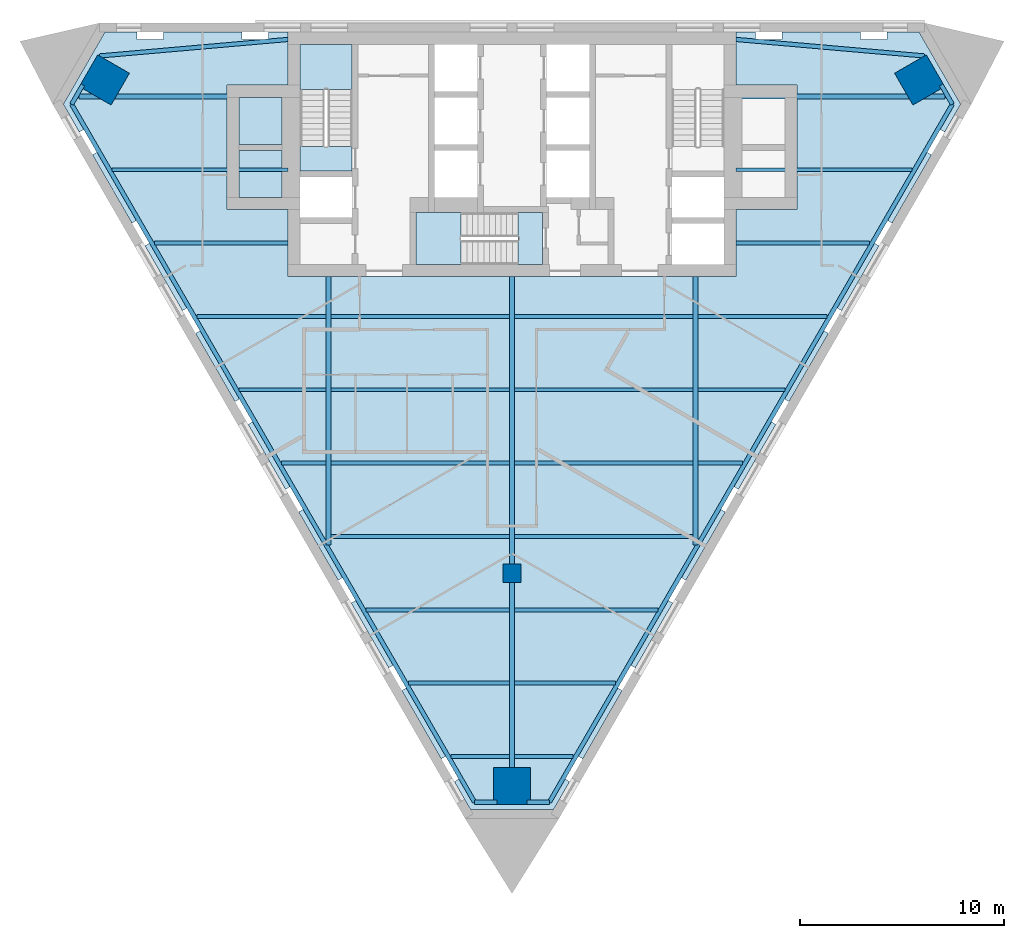
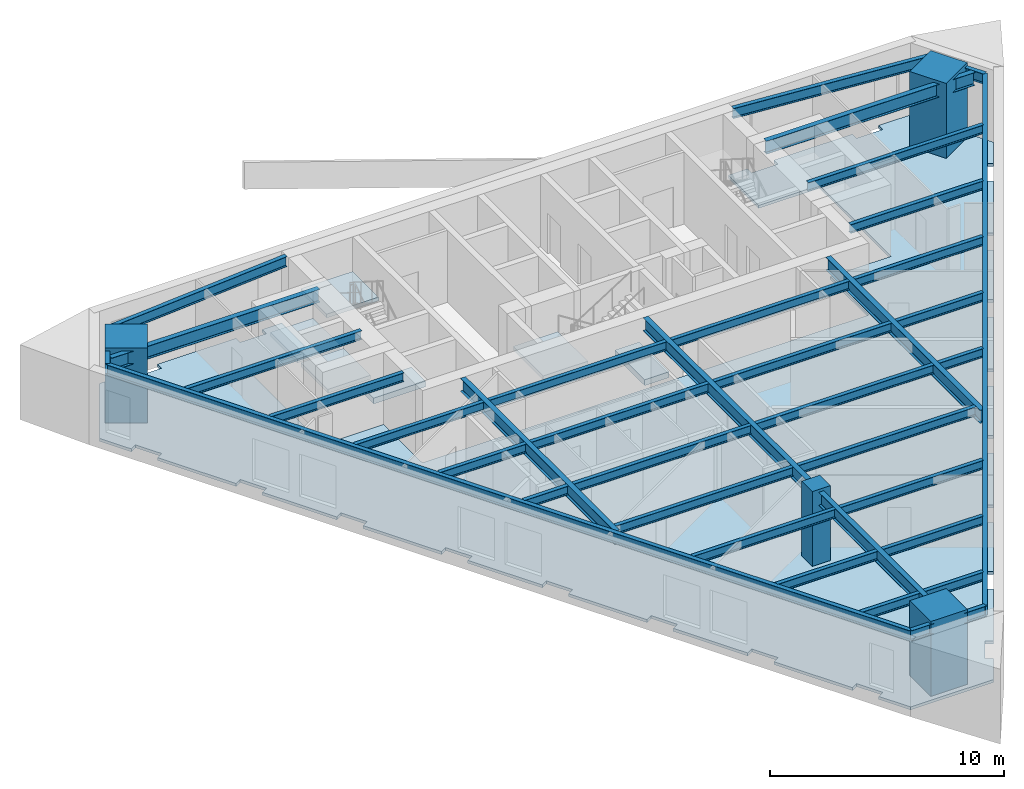
# One storey, part 1 of 7: 38 beams, 7 slabs, 4 columns, 2 elements without a shape of their own.
"""IFC4 building model written with IfcOpenShell, lengths in metres."""

from ifc_helpers import new_model, si_unit, direction, frame, origin, origin_2d, place, context, subcontext, project, spatial, polyline, rectangle, i_section, outline, extrude, material, layer, layer_set, material_profile, profile_set, type_object, element, aggregate, save


model = new_model("IFC4")

# Units and contexts
model_context = context("Model", 3, precision=1e-05, world=origin(), true_north=direction((0.0, 1.0)))
body_context = subcontext(model_context, "Body", "Model", "MODEL_VIEW")
ifc_project = project(units=[si_unit("LENGTHUNIT", "METRE"), si_unit("AREAUNIT", "SQUARE_METRE"), si_unit("VOLUMEUNIT", "CUBIC_METRE"), si_unit("PLANEANGLEUNIT", "RADIAN"), si_unit("MASSUNIT", "GRAM", prefix="KILO")], contexts=[model_context])

# Site, building, storey
site_placement = place(None, origin())
site = spatial("IfcSite", under=ifc_project, at=site_placement, CompositionType="ELEMENT")
building_placement = place(site_placement, origin())
building = spatial("IfcBuilding", under=site, at=building_placement, Name="Aloe Facet Convention Tower", CompositionType="ELEMENT")
storey_placement = place(building_placement, frame((0.0, 0.0, 132.5)))
storey = spatial("IfcBuildingStorey", under=building, at=storey_placement, Name="L33", CompositionType="ELEMENT", Elevation=132.5)

# Columns
ifc_material_1 = material(Name="Concrete C70/85", Category="concrete")
ifc_material_profile_1 = material_profile(ifc_material_1, rectangle(XDim=0.89990234375, YDim=0.89990234375, at=origin_2d()), Name="SF-GC-Z3")
ifc_profile_set_1 = profile_set([ifc_material_profile_1], Name="Concrete C70/85")
column_type_1 = type_object("IfcColumnType", Name="SF-GC-Z3", PredefinedType="COLUMN", material=ifc_profile_set_1)
column_placement = place(storey_placement, frame((80.0, 108.0, 0.0), z_axis=(0.0, 0.0, 1.0), x_axis=(1.0, 0.0, 0.0)))
element("IfcColumn", 1, at=column_placement, inside=storey, type_object=column_type_1, Name="Gravity column GC-Z3-9D", PredefinedType="COLUMN", context=body_context, shape_type="SweptSolid", body=[
    extrude(rectangle(XDim=0.89990234375, YDim=0.89990234375, at=origin_2d()), origin(), (0.0, 0.0, 1.0), 3.89990234375),
])
ifc_material_2 = material(Name="Concrete C80/95", Category="concrete")
ifc_material_profile_2 = material_profile(ifc_material_2, rectangle(XDim=1.800048828125, YDim=1.800048828125, at=origin_2d()), Name="STW-MC-Z3")
ifc_profile_set_2 = profile_set([ifc_material_profile_2], Name="Concrete C80/95")
column_type_2 = type_object("IfcColumnType", Name="STW-MC-Z3", PredefinedType="COLUMN", material=ifc_profile_set_2)
for number, where, z_axis, x_axis, name in (
    (2, (100.00732421875, 132.208251953125, 0.0), (0.0, 0.0, 1.0), (-0.5, 0.866025403784, 0.0), "Mega-column MC-NE-L33"),
    (3, (59.99267578125, 132.208251953125, 0.0), (0.0, 0.0, 1.0), (-0.5, -0.866025403784, 0.0), "Mega-column MC-NW-L33"),
    (4, (80.0, 97.55419921875, 0.0), (0.0, 0.0, 1.0), (1.0, 0.0, 0.0), "Mega-column MC-S-L33"),
):
    element("IfcColumn", number, at=place(storey_placement, frame(where, z_axis=z_axis, x_axis=x_axis)), inside=storey, type_object=column_type_2, Name=name, PredefinedType="COLUMN", context=body_context, shape_type="SweptSolid", body=[
        extrude(rectangle(XDim=1.800048828125, YDim=1.800048828125, at=origin_2d()), origin(), (0.0, 0.0, 1.0), 3.89990234375),
    ])

# Beams
ifc_material_3 = material(Name="Steel S355", Category="steel")
ifc_material_profile_3 = material_profile(ifc_material_3, i_section(OverallWidth=0.19140625, OverallDepth=0.4599609375, WebThickness=0.010009765625, FlangeThickness=0.01611328125, FilletRadius=0.01025390625, at=origin_2d()), Name="UB 457x191x82")
ifc_profile_set_3 = profile_set([ifc_material_profile_3], Name="Steel S355")
beam_type_1 = type_object("IfcBeamType", Name="SF-B-UB457x191x82", PredefinedType="BEAM", material=ifc_profile_set_3)
beam_1_placement = place(storey_placement, frame((60.373779296875, 127.800048828125, 3.52001953125), z_axis=(1.0, 0.0, 0.0), x_axis=(0.0, 1.0, 0.0)))
element("IfcBeam", 5, at=beam_1_placement, inside=storey, type_object=beam_type_1, Name="Floor beam FB-Z3C-015", PredefinedType="BEAM", context=body_context, shape_type="SweptSolid", body=[
    extrude(i_section(OverallWidth=0.19140625, OverallDepth=0.4599609375, WebThickness=0.010009765625, FlangeThickness=0.01611328125, FilletRadius=0.01025390625, at=origin_2d()), origin(), (0.0, 0.0, 1.0), 8.626220703125),
])
beam_2_placement = place(storey_placement, frame((62.452392578125, 124.199951171875, 3.52001953125), z_axis=(1.0, 0.0, 0.0), x_axis=(0.0, 1.0, 0.0)))
element("IfcBeam", 6, at=beam_2_placement, inside=storey, type_object=beam_type_1, Name="Floor beam FB-Z3C-016", PredefinedType="BEAM", context=body_context, shape_type="SweptSolid", body=[
    extrude(i_section(OverallWidth=0.19140625, OverallDepth=0.4599609375, WebThickness=0.010009765625, FlangeThickness=0.01611328125, FilletRadius=0.01025390625, at=origin_2d()), origin(), (0.0, 0.0, 1.0), 6.547607421875),
])
beam_3_placement = place(storey_placement, frame((64.53076171875, 120.60009765625, 3.52001953125), z_axis=(1.0, 0.0, 0.0), x_axis=(0.0, 1.0, 0.0)))
element("IfcBeam", 7, at=beam_3_placement, inside=storey, type_object=beam_type_1, Name="Floor beam FB-Z3C-017", PredefinedType="BEAM", context=body_context, shape_type="SweptSolid", body=[
    extrude(i_section(OverallWidth=0.19140625, OverallDepth=0.4599609375, WebThickness=0.010009765625, FlangeThickness=0.01611328125, FilletRadius=0.01025390625, at=origin_2d()), origin(), (0.0, 0.0, 1.0), 6.3427734375),
])
beam_4_placement = place(storey_placement, frame((66.609130859375, 117.0, 3.52001953125), z_axis=(1.0, 0.0, 0.0), x_axis=(0.0, 1.0, 0.0)))
element("IfcBeam", 8, at=beam_4_placement, inside=storey, type_object=beam_type_1, Name="Floor beam FB-Z3C-018", PredefinedType="BEAM", context=body_context, shape_type="SweptSolid", body=[
    extrude(i_section(OverallWidth=0.19140625, OverallDepth=0.4599609375, WebThickness=0.010009765625, FlangeThickness=0.01611328125, FilletRadius=0.01025390625, at=origin_2d()), origin(), (0.0, 0.0, 1.0), 4.264404296875),
])
beam_5_placement = place(storey_placement, frame((68.687744140625, 113.39990234375, 3.52001953125), z_axis=(1.0, 0.0, 0.0), x_axis=(0.0, 1.0, 0.0)))
element("IfcBeam", 9, at=beam_5_placement, inside=storey, type_object=beam_type_1, Name="Floor beam FB-Z3C-019", PredefinedType="BEAM", context=body_context, shape_type="SweptSolid", body=[
    extrude(i_section(OverallWidth=0.19140625, OverallDepth=0.4599609375, WebThickness=0.010009765625, FlangeThickness=0.01611328125, FilletRadius=0.01025390625, at=origin_2d()), origin(), (0.0, 0.0, 1.0), 2.185791015625),
])
for number, where, z_axis, x_axis, name in (
    (10, (71.12646484375, 109.800048828125, 3.52001953125), (1.0, 0.0, 0.0), (0.0, 1.0, 0.0), "Floor beam FB-Z3C-020"),
    (11, (71.12646484375, 113.39990234375, 3.52001953125), (1.0, 0.0, 0.0), (0.0, 1.0, 0.0), "Floor beam FB-Z3C-021"),
    (12, (71.12646484375, 117.0, 3.52001953125), (1.0, 0.0, 0.0), (0.0, 1.0, 0.0), "Floor beam FB-Z3C-022"),
    (13, (71.12646484375, 120.60009765625, 3.52001953125), (1.0, 0.0, 0.0), (0.0, 1.0, 0.0), "Floor beam FB-Z3C-023"),
):
    element("IfcBeam", number, at=place(storey_placement, frame(where, z_axis=z_axis, x_axis=x_axis)), inside=storey, type_object=beam_type_1, Name=name, PredefinedType="BEAM", context=body_context, shape_type="SweptSolid", body=[
        extrude(i_section(OverallWidth=0.19140625, OverallDepth=0.4599609375, WebThickness=0.010009765625, FlangeThickness=0.01611328125, FilletRadius=0.01025390625, at=origin_2d()), origin(), (0.0, 0.0, 1.0), 8.7470703125),
    ])
beam_6_placement = place(storey_placement, frame((72.844482421875, 106.199951171875, 3.52001953125), z_axis=(1.0, 0.0, 0.0), x_axis=(0.0, 1.0, 0.0)))
element("IfcBeam", 14, at=beam_6_placement, inside=storey, type_object=beam_type_1, Name="Floor beam FB-Z3C-024", PredefinedType="BEAM", context=body_context, shape_type="SweptSolid", body=[
    extrude(i_section(OverallWidth=0.19140625, OverallDepth=0.4599609375, WebThickness=0.010009765625, FlangeThickness=0.01611328125, FilletRadius=0.01025390625, at=origin_2d()), origin(), (0.0, 0.0, 1.0), 7.029052734375),
])
beam_7_placement = place(storey_placement, frame((74.923095703125, 102.60009765625, 3.52001953125), z_axis=(1.0, 0.0, 0.0), x_axis=(0.0, 1.0, 0.0)))
element("IfcBeam", 15, at=beam_7_placement, inside=storey, type_object=beam_type_1, Name="Floor beam FB-Z3C-025", PredefinedType="BEAM", context=body_context, shape_type="SweptSolid", body=[
    extrude(i_section(OverallWidth=0.19140625, OverallDepth=0.4599609375, WebThickness=0.010009765625, FlangeThickness=0.01611328125, FilletRadius=0.01025390625, at=origin_2d()), origin(), (0.0, 0.0, 1.0), 4.950439453125),
])
for number, where, z_axis, x_axis, name in (
    (16, (77.00146484375, 99.0, 3.52001953125), (1.0, 0.0, 0.0), (0.0, 1.0, 0.0), "Floor beam FB-Z3C-026"),
    (17, (80.12646484375, 99.0, 3.52001953125), (1.0, 0.0, 0.0), (0.0, 1.0, 0.0), "Floor beam FB-Z3C-027"),
):
    element("IfcBeam", number, at=place(storey_placement, frame(where, z_axis=z_axis, x_axis=x_axis)), inside=storey, type_object=beam_type_1, Name=name, PredefinedType="BEAM", context=body_context, shape_type="SweptSolid", body=[
        extrude(i_section(OverallWidth=0.19140625, OverallDepth=0.4599609375, WebThickness=0.010009765625, FlangeThickness=0.01611328125, FilletRadius=0.01025390625, at=origin_2d()), origin(), (0.0, 0.0, 1.0), 2.8720703125),
    ])
beam_8_placement = place(storey_placement, frame((80.12646484375, 102.60009765625, 3.52001953125), z_axis=(1.0, 0.0, 0.0), x_axis=(0.0, 1.0, 0.0)))
element("IfcBeam", 18, at=beam_8_placement, inside=storey, type_object=beam_type_1, Name="Floor beam FB-Z3C-028", PredefinedType="BEAM", context=body_context, shape_type="SweptSolid", body=[
    extrude(i_section(OverallWidth=0.19140625, OverallDepth=0.4599609375, WebThickness=0.010009765625, FlangeThickness=0.01611328125, FilletRadius=0.01025390625, at=origin_2d()), origin(), (0.0, 0.0, 1.0), 4.950439453125),
])
beam_9_placement = place(storey_placement, frame((80.12646484375, 106.199951171875, 3.52001953125), z_axis=(1.0, 0.0, 0.0), x_axis=(0.0, 1.0, 0.0)))
element("IfcBeam", 19, at=beam_9_placement, inside=storey, type_object=beam_type_1, Name="Floor beam FB-Z3C-029", PredefinedType="BEAM", context=body_context, shape_type="SweptSolid", body=[
    extrude(i_section(OverallWidth=0.19140625, OverallDepth=0.4599609375, WebThickness=0.010009765625, FlangeThickness=0.01611328125, FilletRadius=0.01025390625, at=origin_2d()), origin(), (0.0, 0.0, 1.0), 7.029052734375),
])
for number, where, z_axis, x_axis, name in (
    (20, (80.12646484375, 109.800048828125, 3.52001953125), (1.0, 0.0, 0.0), (0.0, 1.0, 0.0), "Floor beam FB-Z3C-030"),
    (21, (80.12646484375, 113.39990234375, 3.52001953125), (1.0, 0.0, 0.0), (0.0, 1.0, 0.0), "Floor beam FB-Z3C-031"),
    (22, (80.12646484375, 117.0, 3.52001953125), (1.0, 0.0, 0.0), (0.0, 1.0, 0.0), "Floor beam FB-Z3C-032"),
    (23, (80.12646484375, 120.60009765625, 3.52001953125), (1.0, 0.0, 0.0), (0.0, 1.0, 0.0), "Floor beam FB-Z3C-033"),
):
    element("IfcBeam", number, at=place(storey_placement, frame(where, z_axis=z_axis, x_axis=x_axis)), inside=storey, type_object=beam_type_1, Name=name, PredefinedType="BEAM", context=body_context, shape_type="SweptSolid", body=[
        extrude(i_section(OverallWidth=0.19140625, OverallDepth=0.4599609375, WebThickness=0.010009765625, FlangeThickness=0.01611328125, FilletRadius=0.01025390625, at=origin_2d()), origin(), (0.0, 0.0, 1.0), 8.7470703125),
    ])
beam_10_placement = place(storey_placement, frame((89.12646484375, 113.39990234375, 3.52001953125), z_axis=(1.0, 0.0, 0.0), x_axis=(0.0, 1.0, 0.0)))
element("IfcBeam", 24, at=beam_10_placement, inside=storey, type_object=beam_type_1, Name="Floor beam FB-Z3C-034", PredefinedType="BEAM", context=body_context, shape_type="SweptSolid", body=[
    extrude(i_section(OverallWidth=0.19140625, OverallDepth=0.4599609375, WebThickness=0.010009765625, FlangeThickness=0.01611328125, FilletRadius=0.01025390625, at=origin_2d()), origin(), (0.0, 0.0, 1.0), 2.185791015625),
])
beam_11_placement = place(storey_placement, frame((89.12646484375, 117.0, 3.52001953125), z_axis=(1.0, 0.0, 0.0), x_axis=(0.0, 1.0, 0.0)))
element("IfcBeam", 25, at=beam_11_placement, inside=storey, type_object=beam_type_1, Name="Floor beam FB-Z3C-035", PredefinedType="BEAM", context=body_context, shape_type="SweptSolid", body=[
    extrude(i_section(OverallWidth=0.19140625, OverallDepth=0.4599609375, WebThickness=0.010009765625, FlangeThickness=0.01611328125, FilletRadius=0.01025390625, at=origin_2d()), origin(), (0.0, 0.0, 1.0), 4.264404296875),
])
beam_12_placement = place(storey_placement, frame((89.12646484375, 120.60009765625, 3.52001953125), z_axis=(1.0, 0.0, 0.0), x_axis=(0.0, 1.0, 0.0)))
element("IfcBeam", 26, at=beam_12_placement, inside=storey, type_object=beam_type_1, Name="Floor beam FB-Z3C-036", PredefinedType="BEAM", context=body_context, shape_type="SweptSolid", body=[
    extrude(i_section(OverallWidth=0.19140625, OverallDepth=0.4599609375, WebThickness=0.010009765625, FlangeThickness=0.01611328125, FilletRadius=0.01025390625, at=origin_2d()), origin(), (0.0, 0.0, 1.0), 6.3427734375),
])
beam_13_placement = place(storey_placement, frame((91.0, 124.199951171875, 3.52001953125), z_axis=(1.0, 0.0, 0.0), x_axis=(0.0, 1.0, 0.0)))
element("IfcBeam", 27, at=beam_13_placement, inside=storey, type_object=beam_type_1, Name="Floor beam FB-Z3C-037", PredefinedType="BEAM", context=body_context, shape_type="SweptSolid", body=[
    extrude(i_section(OverallWidth=0.19140625, OverallDepth=0.4599609375, WebThickness=0.010009765625, FlangeThickness=0.01611328125, FilletRadius=0.01025390625, at=origin_2d()), origin(), (0.0, 0.0, 1.0), 6.547607421875),
])
beam_14_placement = place(storey_placement, frame((91.0, 127.800048828125, 3.52001953125), z_axis=(1.0, 0.0, 0.0), x_axis=(0.0, 1.0, 0.0)))
element("IfcBeam", 28, at=beam_14_placement, inside=storey, type_object=beam_type_1, Name="Floor beam FB-Z3C-038", PredefinedType="BEAM", context=body_context, shape_type="SweptSolid", body=[
    extrude(i_section(OverallWidth=0.19140625, OverallDepth=0.4599609375, WebThickness=0.010009765625, FlangeThickness=0.01611328125, FilletRadius=0.01025390625, at=origin_2d()), origin(), (0.0, 0.0, 1.0), 8.626220703125),
])
ifc_material_4 = material(Name="Steel S355", Category="steel")
ifc_material_profile_4 = material_profile(ifc_material_4, i_section(OverallWidth=0.209228515625, OverallDepth=0.533203125, WebThickness=0.010009765625, FlangeThickness=0.015625, FilletRadius=0.0126953125, at=origin_2d()), Name="UB 533x210x92")
ifc_profile_set_4 = profile_set([ifc_material_profile_4], Name="Steel S355")
beam_type_2 = type_object("IfcBeamType", Name="SF-B-UB533x210x92", PredefinedType="BEAM", material=ifc_profile_set_4)
beam_15_placement = place(storey_placement, frame((58.385986328125, 131.016357421875, 3.4833984375), z_axis=(0.50002983664, 0.866008176907, 0.0), x_axis=(-0.866008176907, 0.50002983664, 0.0)))
element("IfcBeam", 29, at=beam_15_placement, inside=storey, type_object=beam_type_2, Name="Floor beam FB-Z3C-001", PredefinedType="BEAM", context=body_context, shape_type="SweptSolid", body=[
    extrude(i_section(OverallWidth=0.209228515625, OverallDepth=0.533203125, WebThickness=0.010009765625, FlangeThickness=0.015625, FilletRadius=0.0126953125, at=origin_2d()), origin(), (0.0, 0.0, 1.0), 1.10009765625),
])
beam_16_placement = place(storey_placement, frame((59.75390625, 133.38525390625, 3.4833984375), z_axis=(0.996184118201, 0.087276587035, 0.0), x_axis=(-0.087276587035, 0.996184118201, 0.0)))
element("IfcBeam", 30, at=beam_16_placement, inside=storey, type_object=beam_type_2, Name="Floor beam FB-Z3C-002", PredefinedType="BEAM", context=body_context, shape_type="SweptSolid", body=[
    extrude(i_section(OverallWidth=0.209228515625, OverallDepth=0.533203125, WebThickness=0.010009765625, FlangeThickness=0.015625, FilletRadius=0.0126953125, at=origin_2d()), origin(), (0.0, 0.0, 1.0), 9.281494140625),
])
beam_17_placement = place(storey_placement, frame((78.16455078125, 96.7587890625, 3.4833984375), z_axis=(-0.499999016722, 0.866025971479, 0.0), x_axis=(-0.866025971479, -0.499999016722, 0.0)))
element("IfcBeam", 31, at=beam_17_placement, inside=storey, type_object=beam_type_2, Name="Floor beam FB-Z3C-003", PredefinedType="BEAM", context=body_context, shape_type="SweptSolid", body=[
    extrude(i_section(OverallWidth=0.209228515625, OverallDepth=0.533203125, WebThickness=0.010009765625, FlangeThickness=0.015625, FilletRadius=0.0126953125, at=origin_2d()), origin(), (0.0, 0.0, 1.0), 39.55712890625),
])
for number, where, z_axis, x_axis, name in (
    (32, (79.2646484375, 96.7587890625, 3.4833984375), (-1.0, 0.0, 0.0), (0.0, -1.0, 0.0), "Floor beam FB-Z3C-004"),
    (33, (81.83544921875, 96.7587890625, 3.4833984375), (-1.0, 0.0, 0.0), (0.0, -1.0, 0.0), "Floor beam FB-Z3C-005"),
):
    element("IfcBeam", number, at=place(storey_placement, frame(where, z_axis=z_axis, x_axis=x_axis)), inside=storey, type_object=beam_type_2, Name=name, PredefinedType="BEAM", context=body_context, shape_type="SweptSolid", body=[
        extrude(i_section(OverallWidth=0.209228515625, OverallDepth=0.533203125, WebThickness=0.010009765625, FlangeThickness=0.015625, FilletRadius=0.0126953125, at=origin_2d()), origin(), (0.0, 0.0, 1.0), 1.10009765625),
    ])
beam_18_placement = place(storey_placement, frame((100.24609375, 133.38525390625, 3.4833984375), z_axis=(-0.996184118201, 0.087276587035, 0.0), x_axis=(-0.087276587035, -0.996184118201, 0.0)))
element("IfcBeam", 34, at=beam_18_placement, inside=storey, type_object=beam_type_2, Name="Floor beam FB-Z3C-006", PredefinedType="BEAM", context=body_context, shape_type="SweptSolid", body=[
    extrude(i_section(OverallWidth=0.209228515625, OverallDepth=0.533203125, WebThickness=0.010009765625, FlangeThickness=0.015625, FilletRadius=0.0126953125, at=origin_2d()), origin(), (0.0, 0.0, 1.0), 9.281494140625),
])
beam_19_placement = place(storey_placement, frame((101.06396484375, 131.968994140625, 3.4833984375), z_axis=(0.50002983664, -0.866008176907, 0.0), x_axis=(0.866008176907, 0.50002983664, 0.0)))
element("IfcBeam", 35, at=beam_19_placement, inside=storey, type_object=beam_type_2, Name="Floor beam FB-Z3C-007", PredefinedType="BEAM", context=body_context, shape_type="SweptSolid", body=[
    extrude(i_section(OverallWidth=0.209228515625, OverallDepth=0.533203125, WebThickness=0.010009765625, FlangeThickness=0.015625, FilletRadius=0.0126953125, at=origin_2d()), origin(), (0.0, 0.0, 1.0), 1.10009765625),
])
beam_20_placement = place(storey_placement, frame((101.614013671875, 131.016357421875, 3.4833984375), z_axis=(-0.499999016722, -0.866025971479, 0.0), x_axis=(0.866025971479, -0.499999016722, 0.0)))
element("IfcBeam", 36, at=beam_20_placement, inside=storey, type_object=beam_type_2, Name="Floor beam FB-Z3C-008", PredefinedType="BEAM", context=body_context, shape_type="SweptSolid", body=[
    extrude(i_section(OverallWidth=0.209228515625, OverallDepth=0.533203125, WebThickness=0.010009765625, FlangeThickness=0.015625, FilletRadius=0.0126953125, at=origin_2d()), origin(), (0.0, 0.0, 1.0), 39.55712890625),
])
ifc_material_5 = material(Name="Steel S355", Category="steel")
ifc_material_profile_5 = material_profile(ifc_material_5, i_section(OverallWidth=0.2529296875, OverallDepth=0.677978515625, WebThickness=0.01171875, FlangeThickness=0.01611328125, FilletRadius=0.01513671875, at=origin_2d()), Name="UB 686x254x125")
ifc_profile_set_5 = profile_set([ifc_material_profile_5], Name="Steel S355")
beam_type_3 = type_object("IfcBeamType", Name="SF-B-UB686x254x125", PredefinedType="BEAM", material=ifc_profile_set_5)
beam_21_placement = place(storey_placement, frame((58.73828125, 131.39990234375, 3.410888671875), z_axis=(1.0, 0.0, 0.0), x_axis=(0.0, 1.0, 0.0)))
element("IfcBeam", 37, at=beam_21_placement, inside=storey, type_object=beam_type_3, Name="Floor beam FB-Z3C-009", PredefinedType="BEAM", context=body_context, shape_type="SweptSolid", body=[
    extrude(i_section(OverallWidth=0.2529296875, OverallDepth=0.677978515625, WebThickness=0.01171875, FlangeThickness=0.01611328125, FilletRadius=0.01513671875, at=origin_2d()), origin(), (0.0, 0.0, 1.0), 10.26171875),
])
beam_22_placement = place(storey_placement, frame((71.0, 122.550048828125, 3.410888671875), z_axis=(0.0, -1.0, 0.0), x_axis=(1.0, 0.0, 0.0)))
element("IfcBeam", 38, at=beam_22_placement, inside=storey, type_object=beam_type_3, Name="Floor beam FB-Z3C-010", PredefinedType="BEAM", context=body_context, shape_type="SweptSolid", body=[
    extrude(i_section(OverallWidth=0.2529296875, OverallDepth=0.677978515625, WebThickness=0.01171875, FlangeThickness=0.01611328125, FilletRadius=0.01513671875, at=origin_2d()), origin(), (0.0, 0.0, 1.0), 13.162353515625),
])
beam_23_placement = place(storey_placement, frame((80.0, 107.550048828125, 3.410888671875), z_axis=(0.0, -1.0, 0.0), x_axis=(1.0, 0.0, 0.0)))
element("IfcBeam", 39, at=beam_23_placement, inside=storey, type_object=beam_type_3, Name="Floor beam FB-Z3C-011", PredefinedType="BEAM", context=body_context, shape_type="SweptSolid", body=[
    extrude(i_section(OverallWidth=0.2529296875, OverallDepth=0.677978515625, WebThickness=0.01171875, FlangeThickness=0.01611328125, FilletRadius=0.01513671875, at=origin_2d()), origin(), (0.0, 0.0, 1.0), 10.676513671875),
])
beam_24_placement = place(storey_placement, frame((80.0, 122.550048828125, 3.410888671875), z_axis=(0.0, -1.0, 0.0), x_axis=(1.0, 0.0, 0.0)))
element("IfcBeam", 40, at=beam_24_placement, inside=storey, type_object=beam_type_3, Name="Floor beam FB-Z3C-012", PredefinedType="BEAM", context=body_context, shape_type="SweptSolid", body=[
    extrude(i_section(OverallWidth=0.2529296875, OverallDepth=0.677978515625, WebThickness=0.01171875, FlangeThickness=0.01611328125, FilletRadius=0.01513671875, at=origin_2d()), origin(), (0.0, 0.0, 1.0), 14.10009765625),
])
beam_25_placement = place(storey_placement, frame((89.0, 122.550048828125, 3.410888671875), z_axis=(0.0, -1.0, 0.0), x_axis=(1.0, 0.0, 0.0)))
element("IfcBeam", 41, at=beam_25_placement, inside=storey, type_object=beam_type_3, Name="Floor beam FB-Z3C-013", PredefinedType="BEAM", context=body_context, shape_type="SweptSolid", body=[
    extrude(i_section(OverallWidth=0.2529296875, OverallDepth=0.677978515625, WebThickness=0.01171875, FlangeThickness=0.01611328125, FilletRadius=0.01513671875, at=origin_2d()), origin(), (0.0, 0.0, 1.0), 13.162353515625),
])
beam_26_placement = place(storey_placement, frame((91.0, 131.39990234375, 3.410888671875), z_axis=(1.0, 0.0, 0.0), x_axis=(0.0, 1.0, 0.0)))
element("IfcBeam", 42, at=beam_26_placement, inside=storey, type_object=beam_type_3, Name="Floor beam FB-Z3C-014", PredefinedType="BEAM", context=body_context, shape_type="SweptSolid", body=[
    extrude(i_section(OverallWidth=0.2529296875, OverallDepth=0.677978515625, WebThickness=0.01171875, FlangeThickness=0.01611328125, FilletRadius=0.01513671875, at=origin_2d()), origin(), (0.0, 0.0, 1.0), 10.26171875),
])

# Slabs
ifc_material_6 = material(Name="Concrete C60/75", Category="concrete")
ifc_layer_1 = layer(ifc_material_6, 0.300048828125)
ifc_layer_set_1 = layer_set([ifc_layer_1], Name="CR-S-FLOOR300-C6075")
slab_type_1 = type_object("IfcSlabType", Name="CR-S-FLOOR300-C6075", PredefinedType="FLOOR", material=ifc_layer_set_1)
slab_1_placement = place(storey_placement, frame((0.0, 0.0, -0.300048828125)))
element("IfcSlab", 43, at=slab_1_placement, inside=storey, type_object=slab_type_1, Name="Stair landing floor L33", PredefinedType="FLOOR", context=body_context, shape_type="SweptSolid", body=[
    extrude(outline(polyline([(72.14990234375, 127.75), (72.14990234375, 128.951171875), (69.60009765625, 128.951171875), (69.60009765625, 127.75), (72.14990234375, 127.75)])), origin(), (0.0, 0.0, 1.0), 0.300048828125),
])
slab_2_placement = place(storey_placement, frame((0.0, 0.0, -0.300048828125)))
element("IfcSlab", 44, at=slab_2_placement, inside=storey, type_object=slab_type_1, Name="Stair landing floor L33", PredefinedType="FLOOR", context=body_context, shape_type="SweptSolid", body=[
    extrude(outline(polyline([(81.5, 125.699951171875), (80.298828125, 125.699951171875), (80.298828125, 123.14990234375), (81.5, 123.14990234375), (81.5, 125.699951171875)])), origin(), (0.0, 0.0, 1.0), 0.300048828125),
])
ifc_material_7 = material(Name="Concrete C60/75", Category="concrete")
ifc_layer_2 = layer(ifc_material_7, 0.199951171875)
ifc_layer_set_2 = layer_set([ifc_layer_2], Name="CR-S-LID200-C6075")
slab_type_2 = type_object("IfcSlabType", Name="CR-S-LID200-C6075", PredefinedType="ROOF", material=ifc_layer_set_2)
slab_3_placement = place(storey_placement, frame((0.0, 0.0, 2.10009765625)))
element("IfcSlab", 45, at=slab_3_placement, inside=storey, type_object=slab_type_2, Name="Lift shaft lid SH1", PredefinedType="ROOF", context=body_context, shape_type="SweptSolid", body=[
    extrude(outline(polyline([(68.701171875, 131.351318359375), (68.701171875, 129.048828125), (66.598876953125, 129.048828125), (66.598876953125, 131.351318359375), (68.701171875, 131.351318359375)])), origin(), (0.0, 0.0, 1.0), 0.199951171875),
])
slab_4_placement = place(storey_placement, frame((0.0, 0.0, 2.10009765625)))
element("IfcSlab", 46, at=slab_4_placement, inside=storey, type_object=slab_type_2, Name="Lift shaft lid SH2", PredefinedType="ROOF", context=body_context, shape_type="SweptSolid", body=[
    extrude(outline(polyline([(68.701171875, 128.751220703125), (68.701171875, 126.44873046875), (66.598876953125, 126.44873046875), (66.598876953125, 128.751220703125), (68.701171875, 128.751220703125)])), origin(), (0.0, 0.0, 1.0), 0.199951171875),
])

# Stair, slab
ifc_material_8 = material(Name="Concrete C50/60", Category="concrete")
stair_type = type_object("IfcStairType", Name="CR-ST-22R", PredefinedType="HALF_TURN_STAIR", material=ifc_material_8)
stair_1_placement = place(storey_placement, origin())
stair_1 = element("IfcStair", 47, at=stair_1_placement, inside=storey, type_object=stair_type, Name="L33 Protected exit stair ST1", PredefinedType="HALF_TURN_STAIR")
ifc_material_9 = material(Name="Concrete C50/60", Category="concrete")
ifc_layer_3 = layer(ifc_material_9, 0.199951171875)
ifc_layer_set_3 = layer_set([ifc_layer_3], Name="CR-SL-LANDING")
slab_type_3 = type_object("IfcSlabType", Name="CR-SL-LANDING", PredefinedType="LANDING", material=ifc_layer_set_3)
slab_5_placement = place(storey_placement, frame((0.0, 0.0, 1.75)))
slab_5 = element("IfcSlab", 48, at=slab_5_placement, type_object=slab_type_3, Name="ST1 landing 1", PredefinedType="LANDING", context=body_context, shape_type="SweptSolid", body=[
    extrude(outline(polyline([(72.14990234375, 131.75), (72.14990234375, 133.949951171875), (69.60009765625, 133.949951171875), (69.60009765625, 131.75), (72.14990234375, 131.75)])), origin(), (0.0, 0.0, 1.0), 0.199951171875),
])
aggregate(stair_1, [slab_5])

stair_2_placement = place(storey_placement, origin())
stair_2 = element("IfcStair", 49, at=stair_2_placement, inside=storey, type_object=stair_type, Name="L33 Protected exit stair ST3", PredefinedType="HALF_TURN_STAIR")
slab_6_placement = place(storey_placement, frame((0.0, 0.0, 1.75)))
slab_6 = element("IfcSlab", 50, at=slab_6_placement, type_object=slab_type_3, Name="ST3 landing 1", PredefinedType="LANDING", context=body_context, shape_type="SweptSolid", body=[
    extrude(outline(polyline([(77.5, 125.699951171875), (75.300048828125, 125.699951171875), (75.300048828125, 123.14990234375), (77.5, 123.14990234375), (77.5, 125.699951171875)])), origin(), (0.0, 0.0, 1.0), 0.199951171875),
])
aggregate(stair_2, [slab_6])

# Slab
ifc_material_10 = material(Name="Concrete C35/45", Category="concrete")
ifc_layer_4 = layer(ifc_material_10, 0.14990234375)
ifc_layer_set_4 = layer_set([ifc_layer_4], Name="SF-FS-150")
slab_type_4 = type_object("IfcSlabType", Name="SF-FS-150", PredefinedType="FLOOR", material=ifc_layer_set_4)
slab_7_placement = place(storey_placement, frame((0.0, 0.0, -0.14990234375)))
element("IfcSlab", 51, at=slab_7_placement, inside=storey, type_object=slab_type_4, Name="Floor slab L33-1", PredefinedType="FLOOR", context=body_context, shape_type="SweptSolid", body=[
    extrude(outline(polyline([(102.0234375, 131.016357421875), (101.23486328125, 129.650390625), (100.931640625, 129.825439453125), (100.287109375, 128.708740234375), (100.590087890625, 128.53369140625), (98.65576171875, 125.183349609375), (98.352783203125, 125.3583984375), (97.7080078125, 124.24169921875), (98.010986328125, 124.066650390625), (96.174072265625, 120.884765625), (95.87109375, 121.059814453125), (95.226318359375, 119.943115234375), (95.529296875, 119.768310546875), (93.594970703125, 116.417724609375), (93.2919921875, 116.5927734375), (92.647216796875, 115.476318359375), (92.9501953125, 115.30126953125), (91.11328125, 112.119384765625), (90.810302734375, 112.294189453125), (90.16552734375, 111.177734375), (90.468505859375, 111.002685546875), (88.5341796875, 107.65234375), (88.231201171875, 107.827392578125), (87.58642578125, 106.710693359375), (87.8896484375, 106.53564453125), (86.052490234375, 103.353759765625), (85.74951171875, 103.52880859375), (85.104736328125, 102.412109375), (85.407958984375, 102.2373046875), (83.473388671875, 98.88671875), (83.17041015625, 99.061767578125), (82.525634765625, 97.9453125), (82.828857421875, 97.770263671875), (82.040283203125, 96.404296875), (77.959716796875, 96.404296875), (77.171142578125, 97.770263671875), (77.474365234375, 97.9453125), (76.82958984375, 99.061767578125), (76.526611328125, 98.88671875), (74.592041015625, 102.2373046875), (74.895263671875, 102.412109375), (74.25048828125, 103.52880859375), (73.947509765625, 103.353759765625), (72.1103515625, 106.53564453125), (72.41357421875, 106.710693359375), (71.768798828125, 107.827392578125), (71.4658203125, 107.65234375), (69.531494140625, 111.002685546875), (69.83447265625, 111.177734375), (69.189697265625, 112.294189453125), (68.88671875, 112.119384765625), (67.0498046875, 115.30126953125), (67.352783203125, 115.476318359375), (66.7080078125, 116.5927734375), (66.405029296875, 116.417724609375), (64.470703125, 119.768310546875), (64.773681640625, 119.943115234375), (64.12890625, 121.059814453125), (63.825927734375, 120.884765625), (61.989013671875, 124.066650390625), (62.2919921875, 124.24169921875), (61.647216796875, 125.3583984375), (61.34423828125, 125.183349609375), (59.409912109375, 128.53369140625), (59.712890625, 128.708740234375), (59.068359375, 129.825439453125), (58.76513671875, 129.650390625), (57.9765625, 131.016357421875), (60.0166015625, 134.550048828125), (61.593994140625, 134.550048828125), (61.593994140625, 134.199951171875), (62.88330078125, 134.199951171875), (62.88330078125, 134.550048828125), (66.752197265625, 134.550048828125), (66.752197265625, 134.199951171875), (68.04150390625, 134.199951171875), (68.04150390625, 134.550048828125), (69.0, 134.550048828125), (69.0, 131.949951171875), (66.0, 131.949951171875), (66.0, 129.35009765625), (66.0, 128.449951171875), (66.0, 125.85009765625), (69.0, 125.85009765625), (69.0, 125.75), (69.0, 124.85009765625), (69.0, 122.550048828125), (71.85009765625, 122.550048828125), (72.75, 122.550048828125), (74.699951171875, 122.550048828125), (75.60009765625, 122.550048828125), (81.199951171875, 122.550048828125), (82.10009765625, 122.550048828125), (84.39990234375, 122.550048828125), (85.300048828125, 122.550048828125), (87.25, 122.550048828125), (88.14990234375, 122.550048828125), (91.0, 122.550048828125), (91.0, 124.85009765625), (91.0, 125.75), (91.0, 125.85009765625), (94.0, 125.85009765625), (94.0, 128.449951171875), (94.0, 129.35009765625), (94.0, 131.949951171875), (91.0, 131.949951171875), (91.0, 134.550048828125), (91.95849609375, 134.550048828125), (91.95849609375, 134.199951171875), (93.247802734375, 134.199951171875), (93.247802734375, 134.550048828125), (97.11669921875, 134.550048828125), (97.11669921875, 134.199951171875), (98.406005859375, 134.199951171875), (98.406005859375, 134.550048828125), (99.9833984375, 134.550048828125), (102.0234375, 131.016357421875)]), holes=[polyline([(80.89990234375, 96.654296875), (80.89990234375, 98.4541015625), (79.10009765625, 98.4541015625), (79.10009765625, 96.654296875), (80.89990234375, 96.654296875)]), polyline([(59.6630859375, 133.4375), (58.76318359375, 131.878662109375), (60.322021484375, 130.978759765625), (61.221923828125, 132.53759765625), (59.6630859375, 133.4375)]), polyline([(80.449951171875, 107.550048828125), (80.449951171875, 108.449951171875), (79.550048828125, 108.449951171875), (79.550048828125, 107.550048828125), (80.449951171875, 107.550048828125)]), polyline([(101.23681640625, 131.878662109375), (100.3369140625, 133.4375), (98.778076171875, 132.53759765625), (99.677978515625, 130.978759765625), (101.23681640625, 131.878662109375)])]), origin(), (0.0, 0.0, 1.0), 0.14990234375),
])

save(model, "model.ifc")
